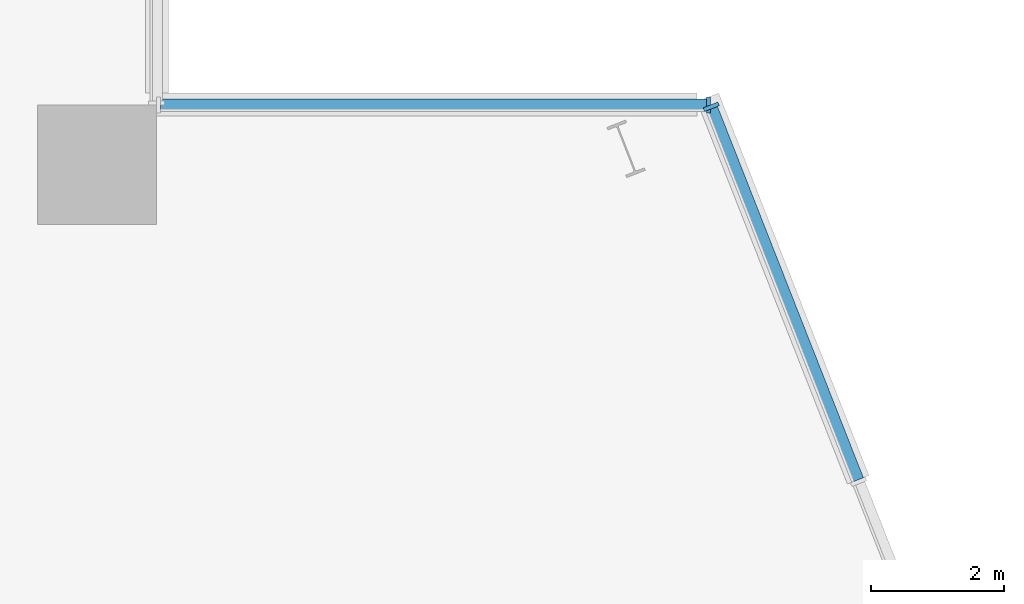
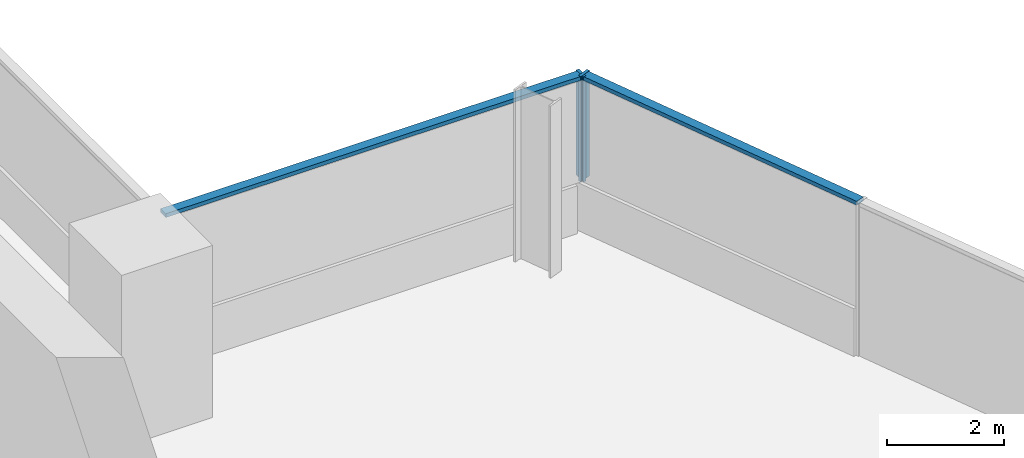
# One storey, part 11 of 30: 4 members, 2 elements without a shape of their own.
"""IFC4 building model written with IfcOpenShell, lengths in metres."""

from ifc_helpers import new_model, si_unit, direction, frame, origin, origin_2d, place, context, subcontext, project, spatial, rectangle, extrude, material, material_profile, profile_set, type_object, element, aggregate, save


model = new_model("IFC4")

# Units and contexts
model_context = context("Model", 3, precision=1e-05, world=origin(), true_north=direction((0.0, 1.0)))
body_context = subcontext(model_context, "Body", "Model", "MODEL_VIEW")
ifc_project = project(units=[si_unit("LENGTHUNIT", "METRE"), si_unit("AREAUNIT", "SQUARE_METRE"), si_unit("VOLUMEUNIT", "CUBIC_METRE"), si_unit("PLANEANGLEUNIT", "RADIAN"), si_unit("MASSUNIT", "GRAM", prefix="KILO")], contexts=[model_context])

# Site, building, storey
site_placement = place(None, origin())
site = spatial("IfcSite", under=ifc_project, at=site_placement, CompositionType="ELEMENT")
building_placement = place(site_placement, origin())
building = spatial("IfcBuilding", under=site, at=building_placement, Name="Wharfspan Tower", CompositionType="ELEMENT")
storey_placement = place(building_placement, frame((0.0, 0.0, 100.300049)))
storey = spatial("IfcBuildingStorey", under=building, at=storey_placement, Name="L22", CompositionType="ELEMENT", Elevation=100.300049)

# Curtain wall, member
ifc_material = material(Name="Aluminium 6063-T6", Category="aluminium")
curtain_wall_type = type_object("IfcCurtainWallType", Name="CURTAIN WALL PROW AND END", PredefinedType="NOTDEFINED", material=ifc_material)
curtain_wall_1_placement = place(storey_placement, origin())
curtain_wall_1 = element("IfcCurtainWall", 1, at=curtain_wall_1_placement, inside=storey, type_object=curtain_wall_type, Name="Curtain wall E", PredefinedType="NOTDEFINED")
ifc_material_profile_1 = material_profile(ifc_material, rectangle(XDim=0.23999, YDim=0.060059, at=origin_2d()))
ifc_profile_set_1 = profile_set([ifc_material_profile_1], Name="Aluminium 6063-T6")
member_type_1 = type_object("IfcMemberType", Name="MULLION PROW AND END 60x240", PredefinedType="MULLION", material=ifc_profile_set_1)
member_1_placement = place(storey_placement, frame((76.369141, 41.972168, 1.0), z_axis=(0.0, 0.0, 1.0), x_axis=(-0.930702, -0.365778, 0.0)))
member_1 = element("IfcMember", 2, at=member_1_placement, type_object=member_type_1, Name="Curtain wall E mullion 8", PredefinedType="MULLION", context=body_context, shape_type="SweptSolid", body=[
    extrude(rectangle(XDim=0.23999, YDim=0.060059, at=origin_2d()), origin(), (0.0, 0.0, 1.0), 2.199951),
])

curtain_wall_2_placement = place(storey_placement, origin())
curtain_wall_2 = element("IfcCurtainWall", 3, at=curtain_wall_2_placement, inside=storey, type_object=curtain_wall_type, Name="Curtain wall NRE-H", PredefinedType="NOTDEFINED")
member_2_placement = place(storey_placement, frame((76.328125, 42.0, 1.0), z_axis=(0.0, 0.0, 1.0), x_axis=(0.0, -1.0, 0.0)))
member_2 = element("IfcMember", 4, at=member_2_placement, type_object=member_type_1, Name="Curtain wall NRE-H mullion 1", PredefinedType="MULLION", context=body_context, shape_type="SweptSolid", body=[
    extrude(rectangle(XDim=0.23999, YDim=0.060059, at=origin_2d()), origin(), (0.0, 0.0, 1.0), 2.199951),
])

# Member
ifc_material_profile_2 = material_profile(ifc_material, rectangle(XDim=0.179932, YDim=0.080078, at=origin_2d()))
ifc_profile_set_2 = profile_set([ifc_material_profile_2], Name="Aluminium 6063-T6")
member_type_2 = type_object("IfcMemberType", Name="TRANSOM PROW AND END 80x180", PredefinedType="USERDEFINED", material=ifc_profile_set_2)
member_3_placement = place(storey_placement, frame((78.581787, 36.342285, 3.159912), z_axis=(-0.365789, 0.930698, 0.0), x_axis=(-0.930698, -0.365789, 0.0)))
member_3 = element("IfcMember", 5, at=member_3_placement, type_object=member_type_2, Name="Curtain wall E transom 7", ObjectType="TRANSOM", PredefinedType="USERDEFINED", context=body_context, shape_type="SweptSolid", body=[
    extrude(rectangle(XDim=0.179932, YDim=0.080078, at=origin_2d()), origin(), (0.0, 0.0, 1.0), 6.019043),
])

aggregate(curtain_wall_1, [member_1, member_3])

member_4_placement = place(storey_placement, frame((76.298096, 42.0, 3.159912), z_axis=(-1.0, 0.0, 0.0), x_axis=(0.0, -1.0, 0.0)))
member_4 = element("IfcMember", 6, at=member_4_placement, type_object=member_type_2, Name="Curtain wall NRE-H transom 1", ObjectType="TRANSOM", PredefinedType="USERDEFINED", context=body_context, shape_type="SweptSolid", body=[
    extrude(rectangle(XDim=0.179932, YDim=0.080078, at=origin_2d()), origin(), (0.0, 0.0, 1.0), 8.238037),
])

aggregate(curtain_wall_2, [member_2, member_4])

save(model, "model.ifc")
